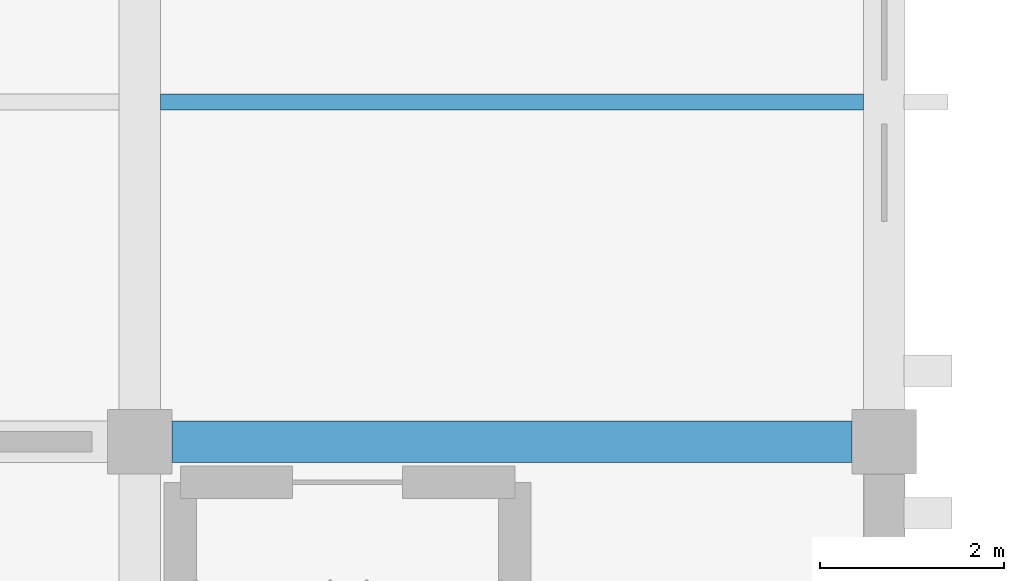
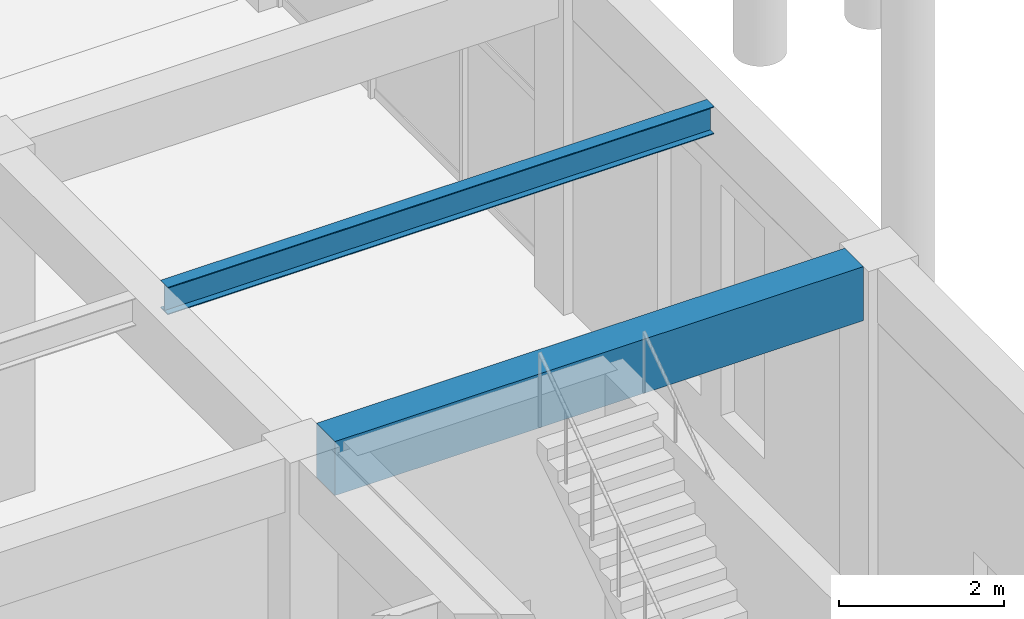
# One storey, part 52 of 140: 2 beams.
"""IFC4 building model written with IfcOpenShell, lengths in metres."""

import ifcopenshell
import ifcopenshell.guid

model = None  # the IFC model being written
_history = None  # IfcOwnerHistory: only IFC2X3 demands one
_inside = {}  # id of a spatial element -> (the spatial element, [elements in it])
_under = {}  # id of a project, library or spatial element -> (it, [spatial elements below it])
_declared = {}  # id of a project -> (the project, [libraries it declares])
_typed = {}  # id of a type object -> (the type object, [elements of that type])
_made_of = {}  # id of a material, layer set ... -> (it, [elements and type objects made of it])


def new_model(schema):
    """Start an empty IFC model of exactly this schema.

    Asked for "IFC4X3", IfcOpenShell would pick the latest addendum, in which some entities
    have other attributes; the version numbers below select the first issue.
    IFC2X3 requires an IfcOwnerHistory on every rooted entity: one is made here for all.
    """
    global model, _history
    if schema == "IFC4X3":
        model = ifcopenshell.file(schema_version=(4, 3, 0, 0))
    else:
        model = ifcopenshell.file(schema=schema)
    _inside.clear()
    _under.clear()
    _declared.clear()
    _typed.clear()
    _made_of.clear()
    _history = None
    if model.schema == "IFC2X3":
        org = make("IfcOrganization", Name="unknown")
        user = make(
            "IfcPersonAndOrganization",
            ThePerson=make("IfcPerson", FamilyName="unknown"),
            TheOrganization=org,
        )
        app = make(
            "IfcApplication",
            ApplicationDeveloper=org,
            Version="unknown",
            ApplicationFullName="unknown",
            ApplicationIdentifier="unknown",
        )
        _history = make(
            "IfcOwnerHistory",
            OwningUser=user,
            OwningApplication=app,
            ChangeAction="ADDED",
            CreationDate=0,
        )
    return model


def make(cls, **values):
    """One entity of the class cls with the attributes given. An attribute that is None is left unset."""
    return model.create_entity(
        cls, **{name: value for name, value in values.items() if value is not None}
    )


def rooted(cls, **values):
    """An entity with a GlobalId (a new one), such as an element, a storey or a relation."""
    return make(cls, GlobalId=ifcopenshell.guid.new(), OwnerHistory=_history, **values)


def si_unit(unit_type, name, prefix=None):
    """IfcSIUnit, for example si_unit("LENGTHUNIT", "METRE", prefix="MILLI")."""
    return make("IfcSIUnit", UnitType=unit_type, Prefix=prefix, Name=name)


def assignment(units):
    """IfcUnitAssignment: the units of a project."""
    return None if units is None else make("IfcUnitAssignment", Units=units)


def point(xyz):
    """IfcCartesianPoint."""
    return None if xyz is None else make("IfcCartesianPoint", Coordinates=xyz)


def direction(xyz):
    """IfcDirection."""
    return None if xyz is None else make("IfcDirection", DirectionRatios=xyz)


def frame(location, z_axis=None, x_axis=None):
    """IfcAxis2Placement3D, a coordinate frame: its origin and axes. An axis left out is left unset."""
    return make(
        "IfcAxis2Placement3D",
        Location=point(location),
        Axis=direction(z_axis),
        RefDirection=direction(x_axis),
    )


def frame_2d(location, x_axis=None):
    """IfcAxis2Placement2D, a coordinate frame in the plane: its origin and x axis."""
    return make(
        "IfcAxis2Placement2D", Location=point(location), RefDirection=direction(x_axis)
    )


def origin():
    """The frame at (0, 0, 0) with its axes left unset."""
    return frame((0.0, 0.0, 0.0))


def origin_2d():
    """The frame at (0, 0) in the plane with its x axis left unset."""
    return frame_2d((0.0, 0.0))


def place(relative_to, where):
    """IfcLocalPlacement: puts the frame where relative to a parent placement (None: the world)."""
    return make(
        "IfcLocalPlacement", PlacementRelTo=relative_to, RelativePlacement=where
    )


def context(
    kind, dimensions, precision=None, world=None, true_north=None, identifier=None
):
    """IfcGeometricRepresentationContext, for example the 3D "Model" context."""
    return make(
        "IfcGeometricRepresentationContext",
        ContextIdentifier=identifier,
        ContextType=kind,
        CoordinateSpaceDimension=dimensions,
        Precision=precision,
        WorldCoordinateSystem=world,
        TrueNorth=true_north,
    )


def subcontext(parent, identifier, kind, view, scale=None):
    """IfcGeometricRepresentationSubContext, for example "Body" below "Model"."""
    return make(
        "IfcGeometricRepresentationSubContext",
        ContextIdentifier=identifier,
        ContextType=kind,
        ParentContext=parent,
        TargetScale=scale,
        TargetView=view,
    )


def project(units=None, contexts=None):
    """IfcProject with its units and contexts."""
    return rooted(
        "IfcProject",
        Name="project",
        RepresentationContexts=contexts,
        UnitsInContext=assignment(units),
    )


def spatial(cls, under=None, at=None, **own):
    """A site, building, storey or space (cls), placed at a placement, below another one or the project."""
    s = rooted(cls, ObjectPlacement=at, **own)
    if under is not None:
        _under.setdefault(under.id(), (under, []))[1].append(s)
    return s


def profile(cls, at=None, kind="AREA", **sizes):
    """A parametric profile (cls). Its sizes go by their IFC names, for example OverallWidth=200.0."""
    return make(cls, ProfileType=kind, Position=at, **sizes)


def rectangle(**sizes):
    """IfcRectangleProfileDef."""
    return profile("IfcRectangleProfileDef", **sizes)


def i_section(**sizes):
    """IfcIShapeProfileDef."""
    return profile("IfcIShapeProfileDef", **sizes)


def extrude(swept, where, along, depth):
    """IfcExtrudedAreaSolid: the profile swept, set in the frame where, extruded along a direction by depth."""
    return make(
        "IfcExtrudedAreaSolid",
        SweptArea=swept,
        Position=where,
        ExtrudedDirection=direction(along),
        Depth=depth,
    )


def shape(context_of_items, identifier, shape_type, items):
    """IfcShapeRepresentation: the items that make up one representation, for example the "Body"."""
    return make(
        "IfcShapeRepresentation",
        ContextOfItems=context_of_items,
        RepresentationIdentifier=identifier,
        RepresentationType=shape_type,
        Items=items,
    )


def material(Name=None, Category=None):
    """IfcMaterial."""
    return make("IfcMaterial", Name=Name, Category=Category)


def material_profile(
    of_material, cross_section, Name=None, Category=None, Priority=None
):
    """IfcMaterialProfile: a cross section and its material."""
    return make(
        "IfcMaterialProfile",
        Name=Name,
        Material=of_material,
        Profile=cross_section,
        Priority=Priority,
        Category=Category,
    )


def profile_set(profiles, Name=None, composite=None):
    """IfcMaterialProfileSet."""
    return make(
        "IfcMaterialProfileSet",
        Name=Name,
        MaterialProfiles=profiles,
        CompositeProfile=composite,
    )


def made_of(thing, what):
    """Note that an element or type object is made of a material, layer set ...; save() writes the relation."""
    if what is not None:
        _made_of.setdefault(what.id(), (what, []))[1].append(thing)
    return thing


def type_object(cls, material=None, **own):
    """A type object (cls), such as IfcWallType, which elements share."""
    return made_of(rooted(cls, **own), material)


def element(
    cls,
    number,
    at=None,
    inside=None,
    cuts=None,
    type_object=None,
    material=None,
    context=None,
    identifier="Body",
    shape_type=None,
    held_by="IfcProductDefinitionShape",
    body=None,
    shapes=None,
    **own,
):
    """One element of the class cls, such as IfcWall. Its Tag is "e" and its number.

    at: its placement. inside: the storey or other place that contains it. cuts: it is an
    opening in that element (IfcRelVoidsElement). A single representation is given by context,
    identifier, shape_type and body (its items); several are given by shapes. held_by: the class
    of the entity that holds the representations. save() writes the other relations.
    """
    e = rooted(cls, Tag="e%d" % number, ObjectPlacement=at, **own)
    if body is not None:
        shapes = [shape(context, identifier, shape_type, body)]
    if shapes is not None:
        e.Representation = make(held_by, Representations=shapes)
    if inside is not None:
        _inside.setdefault(inside.id(), (inside, []))[1].append(e)
    if cuts is not None:
        rooted(
            "IfcRelVoidsElement", RelatingBuildingElement=cuts, RelatedOpeningElement=e
        )
    if type_object is not None:
        _typed.setdefault(type_object.id(), (type_object, []))[1].append(e)
    return made_of(e, material)


def aggregate(whole, parts):
    """IfcRelAggregates: a whole, such as a stair, and the parts it consists of."""
    return rooted("IfcRelAggregates", RelatingObject=whole, RelatedObjects=parts)


def save(model, path):
    """Write the relations noted so far, then the file.

    IfcRelAggregates (storeys below a building ...), IfcRelContainedInSpatialStructure (elements
    in a storey), IfcRelDefinesByType, IfcRelAssociatesMaterial and IfcRelDeclares: one each for
    every whole, place, type object, material and project.
    """
    for whole, parts in _under.values():
        aggregate(whole, parts)
    for where, things in _inside.values():
        rooted(
            "IfcRelContainedInSpatialStructure",
            RelatedElements=things,
            RelatingStructure=where,
        )
    for kind, things in _typed.values():
        rooted("IfcRelDefinesByType", RelatedObjects=things, RelatingType=kind)
    for what, things in _made_of.values():
        rooted("IfcRelAssociatesMaterial", RelatedObjects=things, RelatingMaterial=what)
    for by, libraries in _declared.values():
        rooted("IfcRelDeclares", RelatingContext=by, RelatedDefinitions=libraries)
    model.write(path)


model = new_model("IFC4")

# Units and contexts
model_context = context("Model", 3, precision=1e-05, world=origin(), true_north=direction((0.0, 1.0)))
body_context = subcontext(model_context, "Body", "Model", "MODEL_VIEW")
ifc_project = project(units=[si_unit("LENGTHUNIT", "METRE"), si_unit("AREAUNIT", "SQUARE_METRE"), si_unit("VOLUMEUNIT", "CUBIC_METRE"), si_unit("PLANEANGLEUNIT", "RADIAN"), si_unit("MASSUNIT", "GRAM", prefix="KILO")], contexts=[model_context])

# Site, building, storey
site_placement = place(None, origin())
site = spatial("IfcSite", under=ifc_project, at=site_placement, CompositionType="ELEMENT")
building_placement = place(site_placement, origin())
building = spatial("IfcBuilding", under=site, at=building_placement, Name="Cimatlan Art Gallery", CompositionType="ELEMENT")
storey_placement = place(building_placement, origin())
storey = spatial("IfcBuildingStorey", under=building, at=storey_placement, Name="L00", CompositionType="ELEMENT", Elevation=0.0)

# Beams
ifc_material_1 = material(Name="Concrete C40/50", Category="concrete")
ifc_material_profile_1 = material_profile(ifc_material_1, rectangle(XDim=0.449951171875, YDim=0.800048828125, at=origin_2d()), Name="RC450X800")
ifc_profile_set_1 = profile_set([ifc_material_profile_1], Name="Concrete C40/50")
beam_type_1 = type_object("IfcBeamType", Name="BM-RC-450X800", PredefinedType="BEAM", material=ifc_profile_set_1)
beam_1_placement = place(storey_placement, frame((123.85009765625, 53.5, 4.735107421875), z_axis=(1.0, 0.0, 0.0), x_axis=(0.0, 1.0, 0.0)))
element("IfcBeam", 1, at=beam_1_placement, inside=storey, type_object=beam_type_1, Name="BM-X-L00-15-07", PredefinedType="BEAM", context=body_context, shape_type="SweptSolid", body=[
    extrude(rectangle(XDim=0.449951171875, YDim=0.800048828125, at=origin_2d()), origin(), (0.0, 0.0, 1.0), 7.39990234375),
])
ifc_material_2 = material(Name="Steel ASTM A992 Grade 50", Category="steel")
ifc_material_profile_2 = material_profile(ifc_material_2, i_section(OverallWidth=0.177978515625, OverallDepth=0.406982421875, WebThickness=0.0078125, FlangeThickness=0.0126953125, at=origin_2d()), Name="W16X40")
ifc_profile_set_2 = profile_set([ifc_material_profile_2], Name="Steel ASTM A992 Grade 50")
beam_type_2 = type_object("IfcBeamType", Name="BM-STL-W16X40", PredefinedType="JOIST", material=ifc_profile_set_2)
beam_2_placement = place(storey_placement, frame((123.72509765625, 57.199951171875, 4.931396484375), z_axis=(1.0, 0.0, 0.0), x_axis=(0.0, 1.0, 0.0)))
element("IfcBeam", 2, at=beam_2_placement, inside=storey, type_object=beam_type_2, Name="JST-L00-15-07", PredefinedType="JOIST", context=body_context, shape_type="SweptSolid", body=[
    extrude(i_section(OverallWidth=0.177978515625, OverallDepth=0.406982421875, WebThickness=0.0078125, FlangeThickness=0.0126953125, at=origin_2d()), origin(), (0.0, 0.0, 1.0), 7.64990234375),
])

save(model, "model.ifc")
